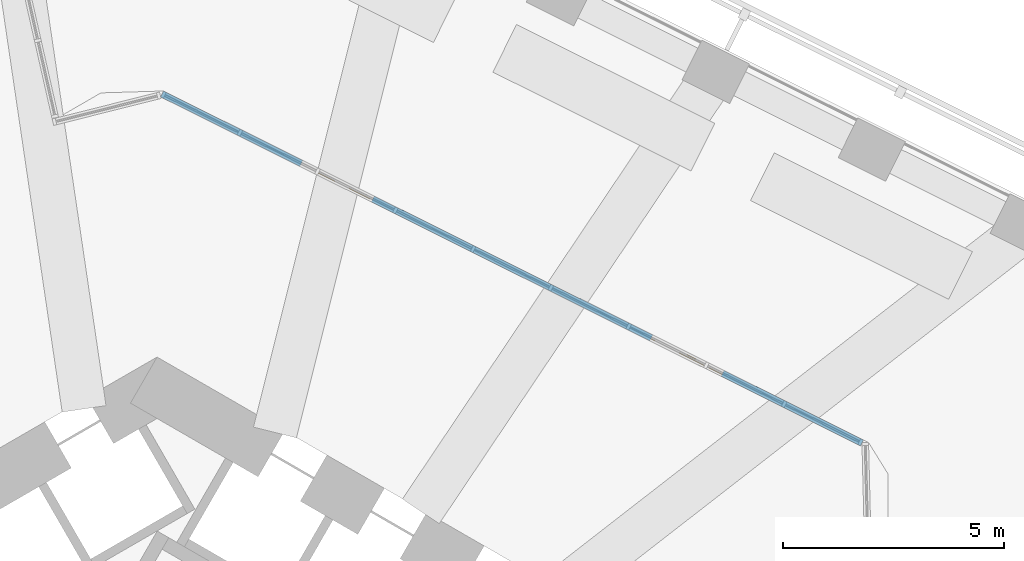
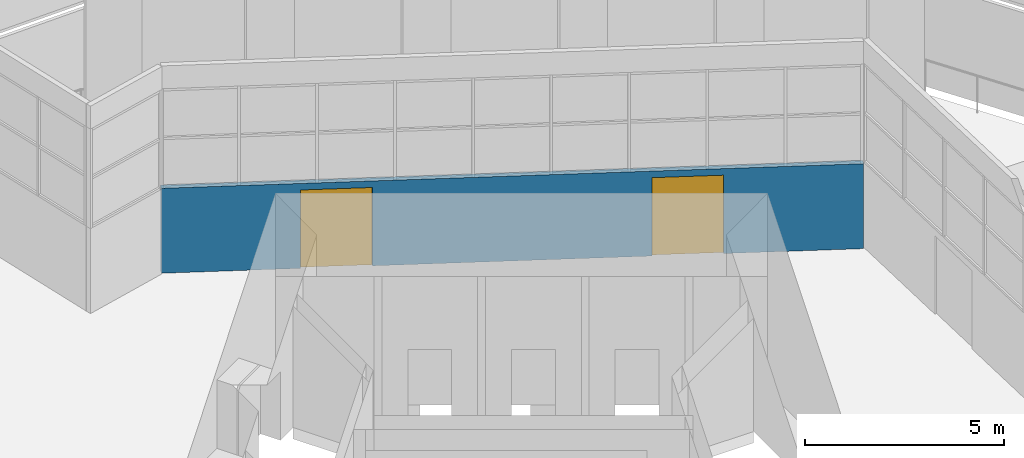
# One storey, part 11 of 17: 2 doors, 1 wall, 2 openings.
"""IFC4 building model written with IfcOpenShell, lengths in metres."""

from ifc_helpers import new_model, si_unit, direction, frame, frame_2d, origin, place, context, subcontext, project, spatial, rectangle, extrude, material, layer, layer_set, type_object, element, fill, save


model = new_model("IFC4")

# Units and contexts
model_context = context("Model", 3, precision=1e-05, world=origin(), true_north=direction((0.0, 1.0)))
body_context = subcontext(model_context, "Body", "Model", "MODEL_VIEW")
ifc_project = project(units=[si_unit("LENGTHUNIT", "METRE"), si_unit("AREAUNIT", "SQUARE_METRE"), si_unit("VOLUMEUNIT", "CUBIC_METRE"), si_unit("PLANEANGLEUNIT", "RADIAN"), si_unit("MASSUNIT", "GRAM", prefix="KILO")], contexts=[model_context])

# Site, building, storey
site_placement = place(None, origin())
site = spatial("IfcSite", under=ifc_project, at=site_placement, CompositionType="ELEMENT")
building_placement = place(site_placement, origin())
building = spatial("IfcBuilding", under=site, at=building_placement, Name="Vanh Sen Convention Tower", CompositionType="ELEMENT")
storey_placement = place(building_placement, frame((0.0, 0.0, 77.0)))
storey = spatial("IfcBuildingStorey", under=building, at=storey_placement, Name="L17", CompositionType="ELEMENT", Elevation=77.0)

# Wall, openings, doors
ifc_material_1 = material(Name="Aluminium-framed structural glazing with clear glass", Category="aluminium")
ifc_layer = layer(ifc_material_1, 0.14990234375)
ifc_layer_set = layer_set([ifc_layer], Name="Aluminium-framed structural glazing with clear glass")
wall_type = type_object("IfcWallType", Name="Winter garden glazed wall 150", PredefinedType="STANDARD", material=ifc_layer_set)
wall_placement = place(storey_placement, frame((0.112548828125, 18.29736328125, 0.0), z_axis=(0.0, 0.0, 1.0), x_axis=(0.894932628477, -0.446201289204, 0.0)))
wall = element("IfcWall", 1, at=wall_placement, inside=storey, type_object=wall_type, Name="Winter garden wall 3 L17", PredefinedType="STANDARD", context=body_context, shape_type="SweptSolid", body=[
    extrude(rectangle(XDim=17.658935546875, YDim=0.14990234375, at=frame_2d((8.82958984375, 0.0))), origin(), (0.0, 0.0, 1.0), 2.60009765625),
])
opening_1_placement = place(wall_placement, frame((3.5146484375, 0.0, 0.0)))
opening_1 = element("IfcOpeningElement", 2, at=opening_1_placement, cuts=wall, Name="Opening TD171", PredefinedType="OPENING", context=body_context, shape_type="SweptSolid", body=[
    extrude(rectangle(XDim=1.800048828125, YDim=2.39990234375, at=frame_2d((0.89990234375, 1.199951171875))), frame((0.0, 0.0849609375, 0.0), z_axis=(0.0, -1.0, 0.0), x_axis=(1.0, 0.0, 0.0)), (0.0, 0.0, 1.0), 0.169921875),
])
opening_2_placement = place(wall_placement, frame((12.343994140625, 0.0, 0.0)))
opening_2 = element("IfcOpeningElement", 3, at=opening_2_placement, cuts=wall, Name="Opening TD172", PredefinedType="OPENING", context=body_context, shape_type="SweptSolid", body=[
    extrude(rectangle(XDim=1.800048828125, YDim=2.39990234375, at=frame_2d((0.89990234375, 1.199951171875))), frame((0.0, 0.0849609375, 0.0), z_axis=(0.0, -1.0, 0.0), x_axis=(1.0, 0.0, 0.0)), (0.0, 0.0, 1.0), 0.169921875),
])
ifc_material_2 = material(Name="Aluminium frame with clear toughened glass", Category="aluminium")
door_type = type_object("IfcDoorType", Name="Garden terrace door 1800 x 2400", OperationType="DOUBLE_DOOR_DOUBLE_SWING", PredefinedType="DOOR", material=ifc_material_2)
door_1_placement = place(opening_1_placement, origin())
door_1 = element("IfcDoor", 4, at=door_1_placement, inside=storey, type_object=door_type, Name="Garden terrace door TD171", OperationType="DOUBLE_DOOR_DOUBLE_SWING", OverallHeight=2.39990234375, OverallWidth=1.800048828125, PredefinedType="DOOR", context=body_context, shape_type="SweptSolid", body=[
    extrude(rectangle(XDim=1.800048828125, YDim=2.39990234375, at=frame_2d((0.89990234375, 1.199951171875))), frame((0.0, 0.02490234375, 0.0), z_axis=(0.0, -1.0, 0.0), x_axis=(1.0, 0.0, 0.0)), (0.0, 0.0, 1.0), 0.050048828125),
])
fill(opening_1, door_1)
door_2_placement = place(opening_2_placement, origin())
door_2 = element("IfcDoor", 5, at=door_2_placement, inside=storey, type_object=door_type, Name="Garden terrace door TD172", OperationType="DOUBLE_DOOR_DOUBLE_SWING", OverallHeight=2.39990234375, OverallWidth=1.800048828125, PredefinedType="DOOR", context=body_context, shape_type="SweptSolid", body=[
    extrude(rectangle(XDim=1.800048828125, YDim=2.39990234375, at=frame_2d((0.89990234375, 1.199951171875))), frame((0.0, 0.02490234375, 0.0), z_axis=(0.0, -1.0, 0.0), x_axis=(1.0, 0.0, 0.0)), (0.0, 0.0, 1.0), 0.050048828125),
])
fill(opening_2, door_2)

save(model, "model.ifc")
